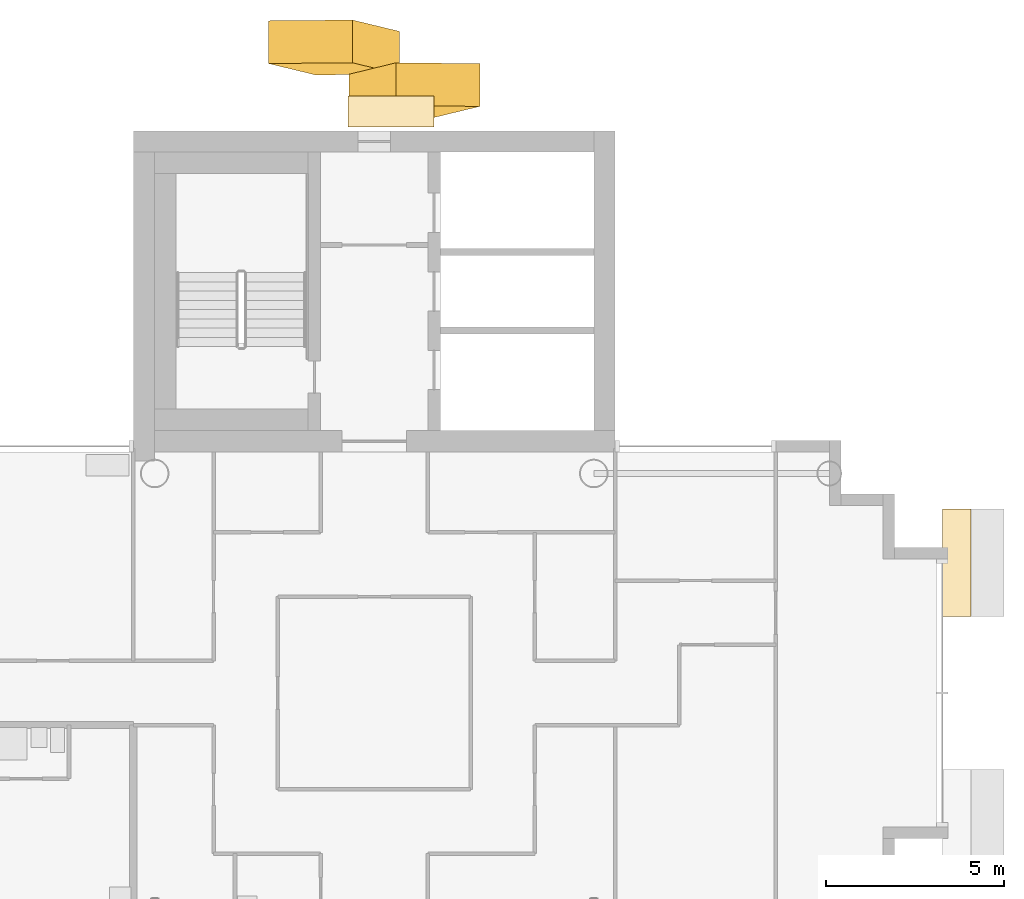
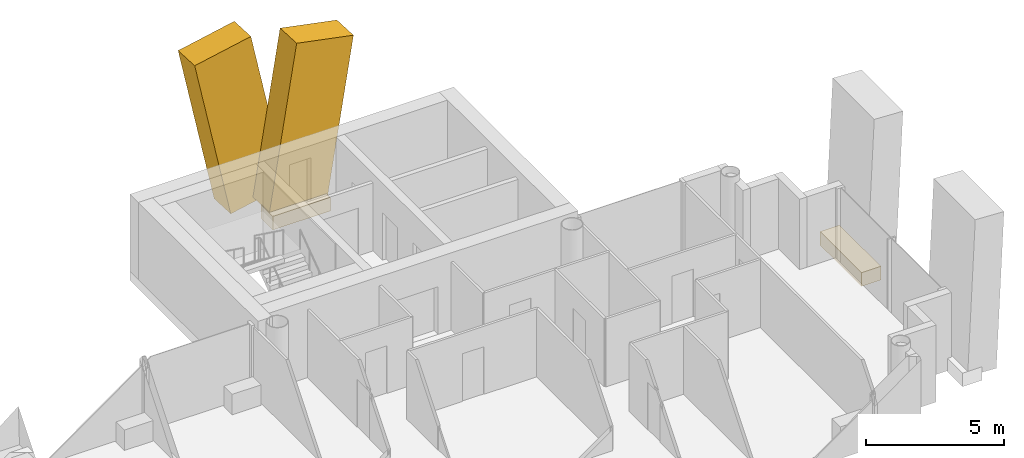
# One storey, part 17 of 18: 4 coverings.
"""IFC4 building model written with IfcOpenShell, lengths in metres."""

import ifcopenshell
import ifcopenshell.guid

model = None  # the IFC model being written
_history = None  # IfcOwnerHistory: only IFC2X3 demands one
_inside = {}  # id of a spatial element -> (the spatial element, [elements in it])
_under = {}  # id of a project, library or spatial element -> (it, [spatial elements below it])
_declared = {}  # id of a project -> (the project, [libraries it declares])
_typed = {}  # id of a type object -> (the type object, [elements of that type])
_made_of = {}  # id of a material, layer set ... -> (it, [elements and type objects made of it])


def new_model(schema):
    """Start an empty IFC model of exactly this schema.

    Asked for "IFC4X3", IfcOpenShell would pick the latest addendum, in which some entities
    have other attributes; the version numbers below select the first issue.
    IFC2X3 requires an IfcOwnerHistory on every rooted entity: one is made here for all.
    """
    global model, _history
    if schema == "IFC4X3":
        model = ifcopenshell.file(schema_version=(4, 3, 0, 0))
    else:
        model = ifcopenshell.file(schema=schema)
    _inside.clear()
    _under.clear()
    _declared.clear()
    _typed.clear()
    _made_of.clear()
    _history = None
    if model.schema == "IFC2X3":
        org = make("IfcOrganization", Name="unknown")
        user = make(
            "IfcPersonAndOrganization",
            ThePerson=make("IfcPerson", FamilyName="unknown"),
            TheOrganization=org,
        )
        app = make(
            "IfcApplication",
            ApplicationDeveloper=org,
            Version="unknown",
            ApplicationFullName="unknown",
            ApplicationIdentifier="unknown",
        )
        _history = make(
            "IfcOwnerHistory",
            OwningUser=user,
            OwningApplication=app,
            ChangeAction="ADDED",
            CreationDate=0,
        )
    return model


def make(cls, **values):
    """One entity of the class cls with the attributes given. An attribute that is None is left unset."""
    return model.create_entity(
        cls, **{name: value for name, value in values.items() if value is not None}
    )


def rooted(cls, **values):
    """An entity with a GlobalId (a new one), such as an element, a storey or a relation."""
    return make(cls, GlobalId=ifcopenshell.guid.new(), OwnerHistory=_history, **values)


def si_unit(unit_type, name, prefix=None):
    """IfcSIUnit, for example si_unit("LENGTHUNIT", "METRE", prefix="MILLI")."""
    return make("IfcSIUnit", UnitType=unit_type, Prefix=prefix, Name=name)


def assignment(units):
    """IfcUnitAssignment: the units of a project."""
    return None if units is None else make("IfcUnitAssignment", Units=units)


def point(xyz):
    """IfcCartesianPoint."""
    return None if xyz is None else make("IfcCartesianPoint", Coordinates=xyz)


def direction(xyz):
    """IfcDirection."""
    return None if xyz is None else make("IfcDirection", DirectionRatios=xyz)


def frame(location, z_axis=None, x_axis=None):
    """IfcAxis2Placement3D, a coordinate frame: its origin and axes. An axis left out is left unset."""
    return make(
        "IfcAxis2Placement3D",
        Location=point(location),
        Axis=direction(z_axis),
        RefDirection=direction(x_axis),
    )


def frame_2d(location, x_axis=None):
    """IfcAxis2Placement2D, a coordinate frame in the plane: its origin and x axis."""
    return make(
        "IfcAxis2Placement2D", Location=point(location), RefDirection=direction(x_axis)
    )


def origin():
    """The frame at (0, 0, 0) with its axes left unset."""
    return frame((0.0, 0.0, 0.0))


def origin_2d():
    """The frame at (0, 0) in the plane with its x axis left unset."""
    return frame_2d((0.0, 0.0))


def place(relative_to, where):
    """IfcLocalPlacement: puts the frame where relative to a parent placement (None: the world)."""
    return make(
        "IfcLocalPlacement", PlacementRelTo=relative_to, RelativePlacement=where
    )


def context(
    kind, dimensions, precision=None, world=None, true_north=None, identifier=None
):
    """IfcGeometricRepresentationContext, for example the 3D "Model" context."""
    return make(
        "IfcGeometricRepresentationContext",
        ContextIdentifier=identifier,
        ContextType=kind,
        CoordinateSpaceDimension=dimensions,
        Precision=precision,
        WorldCoordinateSystem=world,
        TrueNorth=true_north,
    )


def subcontext(parent, identifier, kind, view, scale=None):
    """IfcGeometricRepresentationSubContext, for example "Body" below "Model"."""
    return make(
        "IfcGeometricRepresentationSubContext",
        ContextIdentifier=identifier,
        ContextType=kind,
        ParentContext=parent,
        TargetScale=scale,
        TargetView=view,
    )


def project(units=None, contexts=None):
    """IfcProject with its units and contexts."""
    return rooted(
        "IfcProject",
        Name="project",
        RepresentationContexts=contexts,
        UnitsInContext=assignment(units),
    )


def spatial(cls, under=None, at=None, **own):
    """A site, building, storey or space (cls), placed at a placement, below another one or the project."""
    s = rooted(cls, ObjectPlacement=at, **own)
    if under is not None:
        _under.setdefault(under.id(), (under, []))[1].append(s)
    return s


def profile(cls, at=None, kind="AREA", **sizes):
    """A parametric profile (cls). Its sizes go by their IFC names, for example OverallWidth=200.0."""
    return make(cls, ProfileType=kind, Position=at, **sizes)


def rectangle(**sizes):
    """IfcRectangleProfileDef."""
    return profile("IfcRectangleProfileDef", **sizes)


def extrude(swept, where, along, depth):
    """IfcExtrudedAreaSolid: the profile swept, set in the frame where, extruded along a direction by depth."""
    return make(
        "IfcExtrudedAreaSolid",
        SweptArea=swept,
        Position=where,
        ExtrudedDirection=direction(along),
        Depth=depth,
    )


def shape(context_of_items, identifier, shape_type, items):
    """IfcShapeRepresentation: the items that make up one representation, for example the "Body"."""
    return make(
        "IfcShapeRepresentation",
        ContextOfItems=context_of_items,
        RepresentationIdentifier=identifier,
        RepresentationType=shape_type,
        Items=items,
    )


def material(Name=None, Category=None):
    """IfcMaterial."""
    return make("IfcMaterial", Name=Name, Category=Category)


def material_profile(
    of_material, cross_section, Name=None, Category=None, Priority=None
):
    """IfcMaterialProfile: a cross section and its material."""
    return make(
        "IfcMaterialProfile",
        Name=Name,
        Material=of_material,
        Profile=cross_section,
        Priority=Priority,
        Category=Category,
    )


def profile_set(profiles, Name=None, composite=None):
    """IfcMaterialProfileSet."""
    return make(
        "IfcMaterialProfileSet",
        Name=Name,
        MaterialProfiles=profiles,
        CompositeProfile=composite,
    )


def made_of(thing, what):
    """Note that an element or type object is made of a material, layer set ...; save() writes the relation."""
    if what is not None:
        _made_of.setdefault(what.id(), (what, []))[1].append(thing)
    return thing


def type_object(cls, material=None, **own):
    """A type object (cls), such as IfcWallType, which elements share."""
    return made_of(rooted(cls, **own), material)


def element(
    cls,
    number,
    at=None,
    inside=None,
    cuts=None,
    type_object=None,
    material=None,
    context=None,
    identifier="Body",
    shape_type=None,
    held_by="IfcProductDefinitionShape",
    body=None,
    shapes=None,
    **own,
):
    """One element of the class cls, such as IfcWall. Its Tag is "e" and its number.

    at: its placement. inside: the storey or other place that contains it. cuts: it is an
    opening in that element (IfcRelVoidsElement). A single representation is given by context,
    identifier, shape_type and body (its items); several are given by shapes. held_by: the class
    of the entity that holds the representations. save() writes the other relations.
    """
    e = rooted(cls, Tag="e%d" % number, ObjectPlacement=at, **own)
    if body is not None:
        shapes = [shape(context, identifier, shape_type, body)]
    if shapes is not None:
        e.Representation = make(held_by, Representations=shapes)
    if inside is not None:
        _inside.setdefault(inside.id(), (inside, []))[1].append(e)
    if cuts is not None:
        rooted(
            "IfcRelVoidsElement", RelatingBuildingElement=cuts, RelatedOpeningElement=e
        )
    if type_object is not None:
        _typed.setdefault(type_object.id(), (type_object, []))[1].append(e)
    return made_of(e, material)


def aggregate(whole, parts):
    """IfcRelAggregates: a whole, such as a stair, and the parts it consists of."""
    return rooted("IfcRelAggregates", RelatingObject=whole, RelatedObjects=parts)


def save(model, path):
    """Write the relations noted so far, then the file.

    IfcRelAggregates (storeys below a building ...), IfcRelContainedInSpatialStructure (elements
    in a storey), IfcRelDefinesByType, IfcRelAssociatesMaterial and IfcRelDeclares: one each for
    every whole, place, type object, material and project.
    """
    for whole, parts in _under.values():
        aggregate(whole, parts)
    for where, things in _inside.values():
        rooted(
            "IfcRelContainedInSpatialStructure",
            RelatedElements=things,
            RelatingStructure=where,
        )
    for kind, things in _typed.values():
        rooted("IfcRelDefinesByType", RelatedObjects=things, RelatingType=kind)
    for what, things in _made_of.values():
        rooted("IfcRelAssociatesMaterial", RelatedObjects=things, RelatingMaterial=what)
    for by, libraries in _declared.values():
        rooted("IfcRelDeclares", RelatingContext=by, RelatedDefinitions=libraries)
    model.write(path)


model = new_model("IFC4")

# Units and contexts
model_context = context("Model", 3, precision=1e-05, world=origin(), true_north=direction((0.0, 1.0)))
body_context = subcontext(model_context, "Body", "Model", "MODEL_VIEW")
ifc_project = project(units=[si_unit("LENGTHUNIT", "METRE"), si_unit("AREAUNIT", "SQUARE_METRE"), si_unit("VOLUMEUNIT", "CUBIC_METRE"), si_unit("PLANEANGLEUNIT", "RADIAN"), si_unit("MASSUNIT", "GRAM", prefix="KILO")], contexts=[model_context])

# Site, building, storey
site_placement = place(None, origin())
site = spatial("IfcSite", under=ifc_project, at=site_placement, CompositionType="ELEMENT")
building_placement = place(site_placement, origin())
building = spatial("IfcBuilding", under=site, at=building_placement, Name="Ipe Terrace Towers", CompositionType="ELEMENT")
storey_placement = place(building_placement, frame((0.0, 0.0, 209.60009765625)))
storey = spatial("IfcBuildingStorey", under=building, at=storey_placement, Name="L58", CompositionType="ELEMENT", Elevation=209.60009765625)

# Coverings
ifc_material_1 = material(Name="Concrete C50/60 precast, buff finish", Category="concrete")
ifc_material_profile = material_profile(ifc_material_1, rectangle(XDim=2.39990234375, YDim=1.199951171875, at=origin_2d()), Name="STONE FIN 2400 x 1200")
ifc_profile_set = profile_set([ifc_material_profile], Name="Concrete C50/60 precast, buff finish")
covering_type_1 = type_object("IfcCoveringType", Name="STONE FIN 2400 x 1200", PredefinedType="USERDEFINED", material=ifc_profile_set)
for number, where, z_axis, x_axis, name in (
    (1, (35.531982421875, 17.924072265625, 0.0), (-0.190237993994, 0.045983864549, 0.980660486531), (-0.981738002545, -0.008910603572, -0.190029196449), "stone fin"),
    (2, (36.468017578125, 16.72412109375, 0.0), (0.190237993994, 0.045983864549, 0.980660486531), (-0.981738002545, 0.008910603572, 0.190029196449), "stone fin"),
):
    element("IfcCovering", number, at=place(storey_placement, frame(where, z_axis=z_axis, x_axis=x_axis)), inside=storey, type_object=covering_type_1, Name=name, ObjectType="FIN", PredefinedType="USERDEFINED", context=body_context, shape_type="SweptSolid", body=[
        extrude(rectangle(XDim=2.39990234375, YDim=1.199951171875, at=origin_2d()), origin(), (0.0, 0.0, 1.0), 6.933837890625),
    ])
ifc_material_2 = material(Name="Concrete C50/60 precast, buff finish", Category="concrete")
covering_type_2 = type_object("IfcCoveringType", Name="STONE FIN SHELF 2400 x 600", PredefinedType="CLADDING", material=ifc_material_2)
covering_1_placement = place(storey_placement, frame((36.468017578125, 16.2919921875, -0.35009765625), z_axis=(0.0, 0.0, 1.0), x_axis=(-1.0, 0.0, 0.0)))
element("IfcCovering", 3, at=covering_1_placement, inside=storey, type_object=covering_type_2, Name="stone fin shelf", PredefinedType="CLADDING", context=body_context, shape_type="SweptSolid", body=[
    extrude(rectangle(XDim=2.39990234375, YDim=0.864013671875, at=origin_2d()), origin(), (0.0, 0.0, 1.0), 0.60009765625),
])
ifc_material_3 = material(Name="Concrete C50/60 precast, buff finish", Category="concrete")
covering_type_3 = type_object("IfcCoveringType", Name="STONE FIN SHELF 3000 x 600", PredefinedType="CLADDING", material=ifc_material_3)
covering_2_placement = place(storey_placement, frame((52.320068359375, 3.64990234375, -0.35009765625), z_axis=(0.0, 0.0, 1.0), x_axis=(0.0, 1.0, 0.0)))
element("IfcCovering", 4, at=covering_2_placement, inside=storey, type_object=covering_type_3, Name="stone fin shelf", PredefinedType="CLADDING", context=body_context, shape_type="SweptSolid", body=[
    extrude(rectangle(XDim=3.0, YDim=0.80810546875, at=origin_2d()), origin(), (0.0, 0.0, 1.0), 0.60009765625),
])

save(model, "model.ifc")
